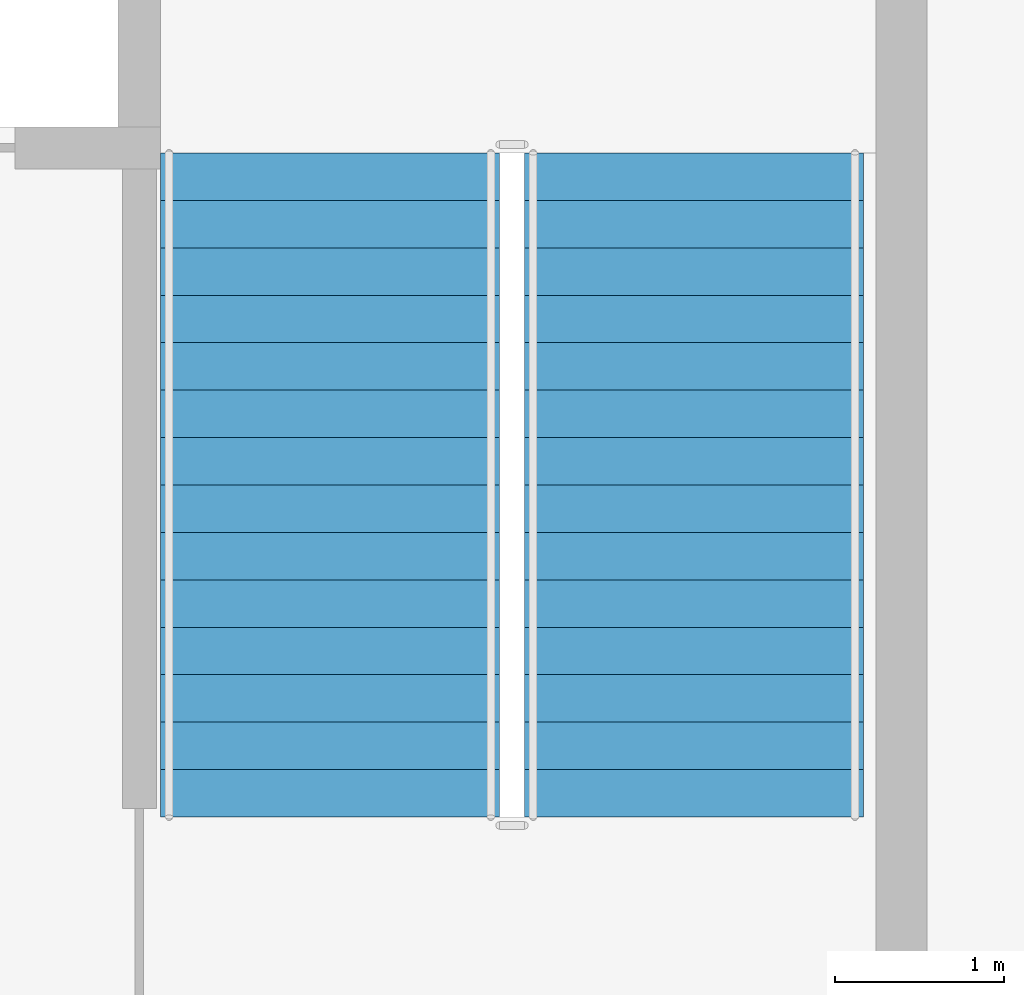
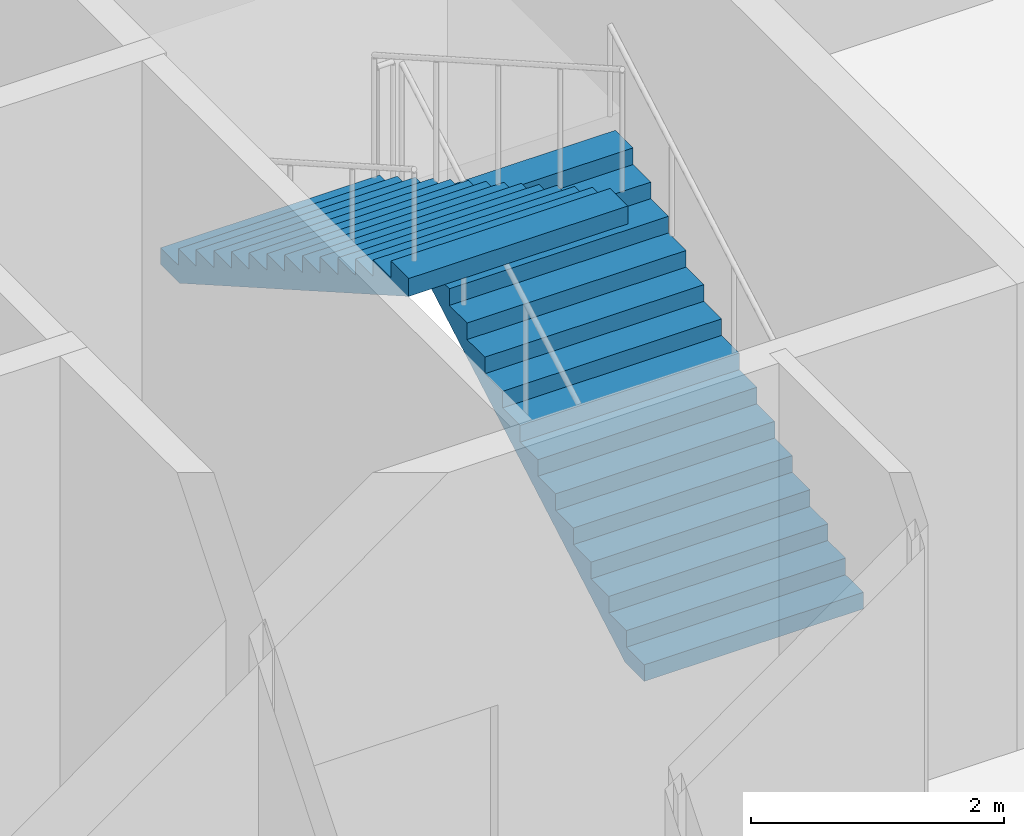
# One storey, part 6 of 10: 2 stair flights, 1 element without a shape of its own.
"""IFC4 building model written with IfcOpenShell, lengths in metres."""

from ifc_helpers import new_model, si_unit, direction, frame, origin, place, context, subcontext, project, spatial, polygons, material, type_object, element, aggregate, save


model = new_model("IFC4")

# Units and contexts
model_context = context("Model", 3, precision=1e-05, world=origin(), true_north=direction((0.0, 1.0)))
body_context = subcontext(model_context, "Body", "Model", "MODEL_VIEW")
ifc_project = project(units=[si_unit("LENGTHUNIT", "METRE"), si_unit("AREAUNIT", "SQUARE_METRE"), si_unit("VOLUMEUNIT", "CUBIC_METRE"), si_unit("PLANEANGLEUNIT", "RADIAN"), si_unit("MASSUNIT", "GRAM", prefix="KILO")], contexts=[model_context])

# Site, building, storey
site_placement = place(None, origin())
site = spatial("IfcSite", under=ifc_project, at=site_placement, CompositionType="ELEMENT")
building_placement = place(site_placement, origin())
building = spatial("IfcBuilding", under=site, at=building_placement, Name="Caravel Reach Hotel and Residences", CompositionType="ELEMENT")
storey_placement = place(building_placement, frame((0.0, 0.0, 48.0)))
storey = spatial("IfcBuildingStorey", under=building, at=storey_placement, Name="L10", CompositionType="ELEMENT", Elevation=48.0)

# Stair, stair flights
ifc_material_1 = material(Name="Concrete C40", Category="concrete")
stair_type = type_object("IfcStairType", Name="Core stair", PredefinedType="HALF_TURN_STAIR", material=ifc_material_1)
stair_placement = place(storey_placement, origin())
stair = element("IfcStair", 1, at=stair_placement, inside=storey, type_object=stair_type, Name="L10 Exit stair B", PredefinedType="HALF_TURN_STAIR")
ifc_material_2 = material(Name="Concrete C40", Category="concrete")
stair_flight_type = type_object("IfcStairFlightType", Name="Core stair flight", PredefinedType="STRAIGHT", material=ifc_material_2)
stair_flight_1_placement = place(storey_placement, frame((43.77490234375, 24.64990234375, 0.0), z_axis=(0.0, 0.0, 1.0), x_axis=(0.0, 1.0, 0.0)))
stair_flight_1 = element("IfcStairFlight", 2, at=stair_flight_1_placement, type_object=stair_flight_type, Name="ST-B flight 1", NumberOfRisers=15, NumberOfTreads=14, PredefinedType="STRAIGHT", RiserHeight=0.16, TreadLength=0.28, context=body_context, shape_type="Tessellation", body=[
    polygons([(0.30213783309663755, 1.0, 0.0), (0.30213783309663755, 0.6666666666666667, 0.0), (0.30213783309663755, 0.33333333333333337, 0.0), (0.30213783309663755, 0.0, 0.0), (0.30213783309663755, -0.33333333333333326, 0.0), (0.30213783309663755, -0.6666666666666667, 0.0), (0.30213783309663755, -1.0, 0.0), (3.9210000000000003, 1.0, 2.0673498096590643), (3.9210000000000003, 0.6666666666666667, 2.0673498096590643), (3.9210000000000003, 0.33333333333333337, 2.0673498096590643), (3.9210000000000003, 0.0, 2.0673498096590643), (3.9210000000000003, -0.33333333333333326, 2.0673498096590643), (3.9210000000000003, -0.6666666666666667, 2.0673498096590643), (3.9210000000000003, -1.0, 2.0673498096590643), (3.9210000000000003, 1.0, 2.24), (3.9210000000000003, 0.6666666666666667, 2.24), (3.9210000000000003, 0.33333333333333337, 2.24), (3.9210000000000003, 0.0, 2.24), (3.9210000000000003, -0.33333333333333326, 2.24), (3.9210000000000003, -0.6666666666666667, 2.24), (3.9210000000000003, -1.0, 2.24), (3.6400000000000006, 1.0, 2.24), (3.6400000000000006, 0.6666666666666667, 2.24), (3.6400000000000006, 0.33333333333333337, 2.24), (3.6400000000000006, 0.0, 2.24), (3.6400000000000006, -0.33333333333333326, 2.24), (3.6400000000000006, -0.6666666666666667, 2.24), (3.6400000000000006, -1.0, 2.24), (3.6400000000000006, 1.0, 2.08), (3.6400000000000006, 0.6666666666666667, 2.08), (3.6400000000000006, 0.33333333333333337, 2.08), (3.6400000000000006, 0.0, 2.08), (3.6400000000000006, -0.33333333333333326, 2.08), (3.6400000000000006, -0.6666666666666667, 2.08), (3.6400000000000006, -1.0, 2.08), (3.3600000000000003, 1.0, 2.08), (3.3600000000000003, 0.6666666666666667, 2.08), (3.3600000000000003, 0.33333333333333337, 2.08), (3.3600000000000003, 0.0, 2.08), (3.3600000000000003, -0.33333333333333326, 2.08), (3.3600000000000003, -0.6666666666666667, 2.08), (3.3600000000000003, -1.0, 2.08), (3.3600000000000003, 1.0, 1.92), (3.3600000000000003, 0.6666666666666667, 1.92), (3.3600000000000003, 0.33333333333333337, 1.92), (3.3600000000000003, 0.0, 1.92), (3.3600000000000003, -0.33333333333333326, 1.92), (3.3600000000000003, -0.6666666666666667, 1.92), (3.3600000000000003, -1.0, 1.92), (3.08, 1.0, 1.92), (3.08, 0.6666666666666667, 1.92), (3.08, 0.33333333333333337, 1.92), (3.08, 0.0, 1.92), (3.08, -0.33333333333333326, 1.92), (3.08, -0.6666666666666667, 1.92), (3.08, -1.0, 1.92), (3.08, 1.0, 1.76), (3.08, 0.6666666666666667, 1.76), (3.08, 0.33333333333333337, 1.76), (3.08, 0.0, 1.76), (3.08, -0.33333333333333326, 1.76), (3.08, -0.6666666666666667, 1.76), (3.08, -1.0, 1.76), (2.8000000000000003, 1.0, 1.76), (2.8000000000000003, 0.6666666666666667, 1.76), (2.8000000000000003, 0.33333333333333337, 1.76), (2.8000000000000003, 0.0, 1.76), (2.8000000000000003, -0.33333333333333326, 1.76), (2.8000000000000003, -0.6666666666666667, 1.76), (2.8000000000000003, -1.0, 1.76), (2.8000000000000003, 1.0, 1.6), (2.8000000000000003, 0.6666666666666667, 1.6), (2.8000000000000003, 0.33333333333333337, 1.6), (2.8000000000000003, 0.0, 1.6), (2.8000000000000003, -0.33333333333333326, 1.6), (2.8000000000000003, -0.6666666666666667, 1.6), (2.8000000000000003, -1.0, 1.6), (2.5200000000000005, 1.0, 1.6), (2.5200000000000005, 0.6666666666666667, 1.6), (2.5200000000000005, 0.33333333333333337, 1.6), (2.5200000000000005, 0.0, 1.6), (2.5200000000000005, -0.33333333333333326, 1.6), (2.5200000000000005, -0.6666666666666667, 1.6), (2.5200000000000005, -1.0, 1.6), (2.5200000000000005, 1.0, 1.44), (2.5200000000000005, 0.6666666666666667, 1.44), (2.5200000000000005, 0.33333333333333337, 1.44), (2.5200000000000005, 0.0, 1.44), (2.5200000000000005, -0.33333333333333326, 1.44), (2.5200000000000005, -0.6666666666666667, 1.44), (2.5200000000000005, -1.0, 1.44), (2.24, 1.0, 1.44), (2.24, 0.6666666666666667, 1.44), (2.24, 0.33333333333333337, 1.44), (2.24, 0.0, 1.44), (2.24, -0.33333333333333326, 1.44), (2.24, -0.6666666666666667, 1.44), (2.24, -1.0, 1.44), (2.24, 1.0, 1.28), (2.24, 0.6666666666666667, 1.28), (2.24, 0.33333333333333337, 1.28), (2.24, 0.0, 1.28), (2.24, -0.33333333333333326, 1.28), (2.24, -0.6666666666666667, 1.28), (2.24, -1.0, 1.28), (1.9600000000000002, 1.0, 1.28), (1.9600000000000002, 0.6666666666666667, 1.28), (1.9600000000000002, 0.33333333333333337, 1.28), (1.9600000000000002, 0.0, 1.28), (1.9600000000000002, -0.33333333333333326, 1.28), (1.9600000000000002, -0.6666666666666667, 1.28), (1.9600000000000002, -1.0, 1.28), (1.9600000000000002, 1.0, 1.12), (1.9600000000000002, 0.6666666666666667, 1.12), (1.9600000000000002, 0.33333333333333337, 1.12), (1.9600000000000002, 0.0, 1.12), (1.9600000000000002, -0.33333333333333326, 1.12), (1.9600000000000002, -0.6666666666666667, 1.12), (1.9600000000000002, -1.0, 1.12), (1.6800000000000002, 1.0, 1.12), (1.6800000000000002, 0.6666666666666667, 1.12), (1.6800000000000002, 0.33333333333333337, 1.12), (1.6800000000000002, 0.0, 1.12), (1.6800000000000002, -0.33333333333333326, 1.12), (1.6800000000000002, -0.6666666666666667, 1.12), (1.6800000000000002, -1.0, 1.12), (1.6800000000000002, 1.0, 0.96), (1.6800000000000002, 0.6666666666666667, 0.96), (1.6800000000000002, 0.33333333333333337, 0.96), (1.6800000000000002, 0.0, 0.96), (1.6800000000000002, -0.33333333333333326, 0.96), (1.6800000000000002, -0.6666666666666667, 0.96), (1.6800000000000002, -1.0, 0.96), (1.4000000000000001, 1.0, 0.96), (1.4000000000000001, 0.6666666666666667, 0.96), (1.4000000000000001, 0.33333333333333337, 0.96), (1.4000000000000001, 0.0, 0.96), (1.4000000000000001, -0.33333333333333326, 0.96), (1.4000000000000001, -0.6666666666666667, 0.96), (1.4000000000000001, -1.0, 0.96), (1.4000000000000001, 1.0, 0.8), (1.4000000000000001, 0.6666666666666667, 0.8), (1.4000000000000001, 0.33333333333333337, 0.8), (1.4000000000000001, 0.0, 0.8), (1.4000000000000001, -0.33333333333333326, 0.8), (1.4000000000000001, -0.6666666666666667, 0.8), (1.4000000000000001, -1.0, 0.8), (1.12, 1.0, 0.8), (1.12, 0.6666666666666667, 0.8), (1.12, 0.33333333333333337, 0.8), (1.12, 0.0, 0.8), (1.12, -0.33333333333333326, 0.8), (1.12, -0.6666666666666667, 0.8), (1.12, -1.0, 0.8), (1.12, 1.0, 0.64), (1.12, 0.6666666666666667, 0.64), (1.12, 0.33333333333333337, 0.64), (1.12, 0.0, 0.64), (1.12, -0.33333333333333326, 0.64), (1.12, -0.6666666666666667, 0.64), (1.12, -1.0, 0.64), (0.8400000000000001, 1.0, 0.64), (0.8400000000000001, 0.6666666666666667, 0.64), (0.8400000000000001, 0.33333333333333337, 0.64), (0.8400000000000001, 0.0, 0.64), (0.8400000000000001, -0.33333333333333326, 0.64), (0.8400000000000001, -0.6666666666666667, 0.64), (0.8400000000000001, -1.0, 0.64), (0.8400000000000001, 1.0, 0.48), (0.8400000000000001, 0.6666666666666667, 0.48), (0.8400000000000001, 0.33333333333333337, 0.48), (0.8400000000000001, 0.0, 0.48), (0.8400000000000001, -0.33333333333333326, 0.48), (0.8400000000000001, -0.6666666666666667, 0.48), (0.8400000000000001, -1.0, 0.48), (0.56, 1.0, 0.48), (0.56, 0.6666666666666667, 0.48), (0.56, 0.33333333333333337, 0.48), (0.56, 0.0, 0.48), (0.56, -0.33333333333333326, 0.48), (0.56, -0.6666666666666667, 0.48), (0.56, -1.0, 0.48), (0.56, 1.0, 0.32), (0.56, 0.6666666666666667, 0.32), (0.56, 0.33333333333333337, 0.32), (0.56, 0.0, 0.32), (0.56, -0.33333333333333326, 0.32), (0.56, -0.6666666666666667, 0.32), (0.56, -1.0, 0.32), (0.28, 1.0, 0.32), (0.28, 0.6666666666666667, 0.32), (0.28, 0.33333333333333337, 0.32), (0.28, 0.0, 0.32), (0.28, -0.33333333333333326, 0.32), (0.28, -0.6666666666666667, 0.32), (0.28, -1.0, 0.32), (0.28, 1.0, 0.16), (0.28, 0.6666666666666667, 0.16), (0.28, 0.33333333333333337, 0.16), (0.28, 0.0, 0.16), (0.28, -0.33333333333333326, 0.16), (0.28, -0.6666666666666667, 0.16), (0.28, -1.0, 0.16), (-0.001, 1.0, 0.16), (-0.001, 0.6666666666666667, 0.16), (-0.001, 0.33333333333333337, 0.16), (-0.001, 0.0, 0.16), (-0.001, -0.33333333333333326, 0.16), (-0.001, -0.6666666666666667, 0.16), (-0.001, -1.0, 0.16), (-0.001, 1.0, 0.0), (-0.001, 0.6666666666666667, 0.0), (-0.001, 0.33333333333333337, 0.0), (-0.001, 0.0, 0.0), (-0.001, -0.33333333333333326, 0.0), (-0.001, -0.6666666666666667, 0.0), (-0.001, -1.0, 0.0)], [[[211, 204, 197, 190, 183, 176, 169, 162, 155, 148, 141, 134, 127, 120, 113, 106, 99, 92, 85, 78, 71, 64, 57, 50, 43, 36, 29, 22, 15, 8, 1]], [[7, 14, 21, 28, 35, 42, 49, 56, 63, 70, 77, 84, 91, 98, 105, 112, 119, 126, 133, 140, 147, 154, 161, 168, 175, 182, 189, 196, 203, 210, 217]], [[1, 8, 9, 2]], [[2, 9, 10, 3]], [[3, 10, 11, 4]], [[4, 11, 12, 5]], [[5, 12, 13, 6]], [[6, 13, 14, 7]], [[8, 15, 16, 9]], [[9, 16, 17, 10]], [[10, 17, 18, 11]], [[11, 18, 19, 12]], [[12, 19, 20, 13]], [[13, 20, 21, 14]], [[15, 22, 23, 16]], [[16, 23, 24, 17]], [[17, 24, 25, 18]], [[18, 25, 26, 19]], [[19, 26, 27, 20]], [[20, 27, 28, 21]], [[22, 29, 30, 23]], [[23, 30, 31, 24]], [[24, 31, 32, 25]], [[25, 32, 33, 26]], [[26, 33, 34, 27]], [[27, 34, 35, 28]], [[29, 36, 37, 30]], [[30, 37, 38, 31]], [[31, 38, 39, 32]], [[32, 39, 40, 33]], [[33, 40, 41, 34]], [[34, 41, 42, 35]], [[36, 43, 44, 37]], [[37, 44, 45, 38]], [[38, 45, 46, 39]], [[39, 46, 47, 40]], [[40, 47, 48, 41]], [[41, 48, 49, 42]], [[43, 50, 51, 44]], [[44, 51, 52, 45]], [[45, 52, 53, 46]], [[46, 53, 54, 47]], [[47, 54, 55, 48]], [[48, 55, 56, 49]], [[50, 57, 58, 51]], [[51, 58, 59, 52]], [[52, 59, 60, 53]], [[53, 60, 61, 54]], [[54, 61, 62, 55]], [[55, 62, 63, 56]], [[57, 64, 65, 58]], [[58, 65, 66, 59]], [[59, 66, 67, 60]], [[60, 67, 68, 61]], [[61, 68, 69, 62]], [[62, 69, 70, 63]], [[64, 71, 72, 65]], [[65, 72, 73, 66]], [[66, 73, 74, 67]], [[67, 74, 75, 68]], [[68, 75, 76, 69]], [[69, 76, 77, 70]], [[71, 78, 79, 72]], [[72, 79, 80, 73]], [[73, 80, 81, 74]], [[74, 81, 82, 75]], [[75, 82, 83, 76]], [[76, 83, 84, 77]], [[78, 85, 86, 79]], [[79, 86, 87, 80]], [[80, 87, 88, 81]], [[81, 88, 89, 82]], [[82, 89, 90, 83]], [[83, 90, 91, 84]], [[85, 92, 93, 86]], [[86, 93, 94, 87]], [[87, 94, 95, 88]], [[88, 95, 96, 89]], [[89, 96, 97, 90]], [[90, 97, 98, 91]], [[92, 99, 100, 93]], [[93, 100, 101, 94]], [[94, 101, 102, 95]], [[95, 102, 103, 96]], [[96, 103, 104, 97]], [[97, 104, 105, 98]], [[99, 106, 107, 100]], [[100, 107, 108, 101]], [[101, 108, 109, 102]], [[102, 109, 110, 103]], [[103, 110, 111, 104]], [[104, 111, 112, 105]], [[106, 113, 114, 107]], [[107, 114, 115, 108]], [[108, 115, 116, 109]], [[109, 116, 117, 110]], [[110, 117, 118, 111]], [[111, 118, 119, 112]], [[113, 120, 121, 114]], [[114, 121, 122, 115]], [[115, 122, 123, 116]], [[116, 123, 124, 117]], [[117, 124, 125, 118]], [[118, 125, 126, 119]], [[120, 127, 128, 121]], [[121, 128, 129, 122]], [[122, 129, 130, 123]], [[123, 130, 131, 124]], [[124, 131, 132, 125]], [[125, 132, 133, 126]], [[127, 134, 135, 128]], [[128, 135, 136, 129]], [[129, 136, 137, 130]], [[130, 137, 138, 131]], [[131, 138, 139, 132]], [[132, 139, 140, 133]], [[134, 141, 142, 135]], [[135, 142, 143, 136]], [[136, 143, 144, 137]], [[137, 144, 145, 138]], [[138, 145, 146, 139]], [[139, 146, 147, 140]], [[141, 148, 149, 142]], [[142, 149, 150, 143]], [[143, 150, 151, 144]], [[144, 151, 152, 145]], [[145, 152, 153, 146]], [[146, 153, 154, 147]], [[148, 155, 156, 149]], [[149, 156, 157, 150]], [[150, 157, 158, 151]], [[151, 158, 159, 152]], [[152, 159, 160, 153]], [[153, 160, 161, 154]], [[155, 162, 163, 156]], [[156, 163, 164, 157]], [[157, 164, 165, 158]], [[158, 165, 166, 159]], [[159, 166, 167, 160]], [[160, 167, 168, 161]], [[162, 169, 170, 163]], [[163, 170, 171, 164]], [[164, 171, 172, 165]], [[165, 172, 173, 166]], [[166, 173, 174, 167]], [[167, 174, 175, 168]], [[169, 176, 177, 170]], [[170, 177, 178, 171]], [[171, 178, 179, 172]], [[172, 179, 180, 173]], [[173, 180, 181, 174]], [[174, 181, 182, 175]], [[176, 183, 184, 177]], [[177, 184, 185, 178]], [[178, 185, 186, 179]], [[179, 186, 187, 180]], [[180, 187, 188, 181]], [[181, 188, 189, 182]], [[183, 190, 191, 184]], [[184, 191, 192, 185]], [[185, 192, 193, 186]], [[186, 193, 194, 187]], [[187, 194, 195, 188]], [[188, 195, 196, 189]], [[190, 197, 198, 191]], [[191, 198, 199, 192]], [[192, 199, 200, 193]], [[193, 200, 201, 194]], [[194, 201, 202, 195]], [[195, 202, 203, 196]], [[197, 204, 205, 198]], [[198, 205, 206, 199]], [[199, 206, 207, 200]], [[200, 207, 208, 201]], [[201, 208, 209, 202]], [[202, 209, 210, 203]], [[204, 211, 212, 205]], [[205, 212, 213, 206]], [[206, 213, 214, 207]], [[207, 214, 215, 208]], [[208, 215, 216, 209]], [[209, 216, 217, 210]], [[211, 1, 2, 212]], [[212, 2, 3, 213]], [[213, 3, 4, 214]], [[214, 4, 5, 215]], [[215, 5, 6, 216]], [[216, 6, 7, 217]]], closed=True),
])
stair_flight_2_placement = place(storey_placement, frame((41.625, 28.570068359375, 2.39990234375), z_axis=(0.0, 0.0, 1.0), x_axis=(0.0, -1.0, 0.0)))
stair_flight_2 = element("IfcStairFlight", 3, at=stair_flight_2_placement, type_object=stair_flight_type, Name="ST-B flight 2", NumberOfRisers=15, NumberOfTreads=14, PredefinedType="STRAIGHT", RiserHeight=0.16, TreadLength=0.28, context=body_context, shape_type="Tessellation", body=[
    polygons([(0.30213783309663755, 1.0, 0.0), (0.30213783309663755, 0.6666666666666667, 0.0), (0.30213783309663755, 0.33333333333333337, 0.0), (0.30213783309663755, 0.0, 0.0), (0.30213783309663755, -0.33333333333333326, 0.0), (0.30213783309663755, -0.6666666666666667, 0.0), (0.30213783309663755, -1.0, 0.0), (3.9210000000000003, 1.0, 2.0673498096590643), (3.9210000000000003, 0.6666666666666667, 2.0673498096590643), (3.9210000000000003, 0.33333333333333337, 2.0673498096590643), (3.9210000000000003, 0.0, 2.0673498096590643), (3.9210000000000003, -0.33333333333333326, 2.0673498096590643), (3.9210000000000003, -0.6666666666666667, 2.0673498096590643), (3.9210000000000003, -1.0, 2.0673498096590643), (3.9210000000000003, 1.0, 2.24), (3.9210000000000003, 0.6666666666666667, 2.24), (3.9210000000000003, 0.33333333333333337, 2.24), (3.9210000000000003, 0.0, 2.24), (3.9210000000000003, -0.33333333333333326, 2.24), (3.9210000000000003, -0.6666666666666667, 2.24), (3.9210000000000003, -1.0, 2.24), (3.6400000000000006, 1.0, 2.24), (3.6400000000000006, 0.6666666666666667, 2.24), (3.6400000000000006, 0.33333333333333337, 2.24), (3.6400000000000006, 0.0, 2.24), (3.6400000000000006, -0.33333333333333326, 2.24), (3.6400000000000006, -0.6666666666666667, 2.24), (3.6400000000000006, -1.0, 2.24), (3.6400000000000006, 1.0, 2.08), (3.6400000000000006, 0.6666666666666667, 2.08), (3.6400000000000006, 0.33333333333333337, 2.08), (3.6400000000000006, 0.0, 2.08), (3.6400000000000006, -0.33333333333333326, 2.08), (3.6400000000000006, -0.6666666666666667, 2.08), (3.6400000000000006, -1.0, 2.08), (3.3600000000000003, 1.0, 2.08), (3.3600000000000003, 0.6666666666666667, 2.08), (3.3600000000000003, 0.33333333333333337, 2.08), (3.3600000000000003, 0.0, 2.08), (3.3600000000000003, -0.33333333333333326, 2.08), (3.3600000000000003, -0.6666666666666667, 2.08), (3.3600000000000003, -1.0, 2.08), (3.3600000000000003, 1.0, 1.92), (3.3600000000000003, 0.6666666666666667, 1.92), (3.3600000000000003, 0.33333333333333337, 1.92), (3.3600000000000003, 0.0, 1.92), (3.3600000000000003, -0.33333333333333326, 1.92), (3.3600000000000003, -0.6666666666666667, 1.92), (3.3600000000000003, -1.0, 1.92), (3.08, 1.0, 1.92), (3.08, 0.6666666666666667, 1.92), (3.08, 0.33333333333333337, 1.92), (3.08, 0.0, 1.92), (3.08, -0.33333333333333326, 1.92), (3.08, -0.6666666666666667, 1.92), (3.08, -1.0, 1.92), (3.08, 1.0, 1.76), (3.08, 0.6666666666666667, 1.76), (3.08, 0.33333333333333337, 1.76), (3.08, 0.0, 1.76), (3.08, -0.33333333333333326, 1.76), (3.08, -0.6666666666666667, 1.76), (3.08, -1.0, 1.76), (2.8000000000000003, 1.0, 1.76), (2.8000000000000003, 0.6666666666666667, 1.76), (2.8000000000000003, 0.33333333333333337, 1.76), (2.8000000000000003, 0.0, 1.76), (2.8000000000000003, -0.33333333333333326, 1.76), (2.8000000000000003, -0.6666666666666667, 1.76), (2.8000000000000003, -1.0, 1.76), (2.8000000000000003, 1.0, 1.6), (2.8000000000000003, 0.6666666666666667, 1.6), (2.8000000000000003, 0.33333333333333337, 1.6), (2.8000000000000003, 0.0, 1.6), (2.8000000000000003, -0.33333333333333326, 1.6), (2.8000000000000003, -0.6666666666666667, 1.6), (2.8000000000000003, -1.0, 1.6), (2.5200000000000005, 1.0, 1.6), (2.5200000000000005, 0.6666666666666667, 1.6), (2.5200000000000005, 0.33333333333333337, 1.6), (2.5200000000000005, 0.0, 1.6), (2.5200000000000005, -0.33333333333333326, 1.6), (2.5200000000000005, -0.6666666666666667, 1.6), (2.5200000000000005, -1.0, 1.6), (2.5200000000000005, 1.0, 1.44), (2.5200000000000005, 0.6666666666666667, 1.44), (2.5200000000000005, 0.33333333333333337, 1.44), (2.5200000000000005, 0.0, 1.44), (2.5200000000000005, -0.33333333333333326, 1.44), (2.5200000000000005, -0.6666666666666667, 1.44), (2.5200000000000005, -1.0, 1.44), (2.24, 1.0, 1.44), (2.24, 0.6666666666666667, 1.44), (2.24, 0.33333333333333337, 1.44), (2.24, 0.0, 1.44), (2.24, -0.33333333333333326, 1.44), (2.24, -0.6666666666666667, 1.44), (2.24, -1.0, 1.44), (2.24, 1.0, 1.28), (2.24, 0.6666666666666667, 1.28), (2.24, 0.33333333333333337, 1.28), (2.24, 0.0, 1.28), (2.24, -0.33333333333333326, 1.28), (2.24, -0.6666666666666667, 1.28), (2.24, -1.0, 1.28), (1.9600000000000002, 1.0, 1.28), (1.9600000000000002, 0.6666666666666667, 1.28), (1.9600000000000002, 0.33333333333333337, 1.28), (1.9600000000000002, 0.0, 1.28), (1.9600000000000002, -0.33333333333333326, 1.28), (1.9600000000000002, -0.6666666666666667, 1.28), (1.9600000000000002, -1.0, 1.28), (1.9600000000000002, 1.0, 1.12), (1.9600000000000002, 0.6666666666666667, 1.12), (1.9600000000000002, 0.33333333333333337, 1.12), (1.9600000000000002, 0.0, 1.12), (1.9600000000000002, -0.33333333333333326, 1.12), (1.9600000000000002, -0.6666666666666667, 1.12), (1.9600000000000002, -1.0, 1.12), (1.6800000000000002, 1.0, 1.12), (1.6800000000000002, 0.6666666666666667, 1.12), (1.6800000000000002, 0.33333333333333337, 1.12), (1.6800000000000002, 0.0, 1.12), (1.6800000000000002, -0.33333333333333326, 1.12), (1.6800000000000002, -0.6666666666666667, 1.12), (1.6800000000000002, -1.0, 1.12), (1.6800000000000002, 1.0, 0.96), (1.6800000000000002, 0.6666666666666667, 0.96), (1.6800000000000002, 0.33333333333333337, 0.96), (1.6800000000000002, 0.0, 0.96), (1.6800000000000002, -0.33333333333333326, 0.96), (1.6800000000000002, -0.6666666666666667, 0.96), (1.6800000000000002, -1.0, 0.96), (1.4000000000000001, 1.0, 0.96), (1.4000000000000001, 0.6666666666666667, 0.96), (1.4000000000000001, 0.33333333333333337, 0.96), (1.4000000000000001, 0.0, 0.96), (1.4000000000000001, -0.33333333333333326, 0.96), (1.4000000000000001, -0.6666666666666667, 0.96), (1.4000000000000001, -1.0, 0.96), (1.4000000000000001, 1.0, 0.8), (1.4000000000000001, 0.6666666666666667, 0.8), (1.4000000000000001, 0.33333333333333337, 0.8), (1.4000000000000001, 0.0, 0.8), (1.4000000000000001, -0.33333333333333326, 0.8), (1.4000000000000001, -0.6666666666666667, 0.8), (1.4000000000000001, -1.0, 0.8), (1.12, 1.0, 0.8), (1.12, 0.6666666666666667, 0.8), (1.12, 0.33333333333333337, 0.8), (1.12, 0.0, 0.8), (1.12, -0.33333333333333326, 0.8), (1.12, -0.6666666666666667, 0.8), (1.12, -1.0, 0.8), (1.12, 1.0, 0.64), (1.12, 0.6666666666666667, 0.64), (1.12, 0.33333333333333337, 0.64), (1.12, 0.0, 0.64), (1.12, -0.33333333333333326, 0.64), (1.12, -0.6666666666666667, 0.64), (1.12, -1.0, 0.64), (0.8400000000000001, 1.0, 0.64), (0.8400000000000001, 0.6666666666666667, 0.64), (0.8400000000000001, 0.33333333333333337, 0.64), (0.8400000000000001, 0.0, 0.64), (0.8400000000000001, -0.33333333333333326, 0.64), (0.8400000000000001, -0.6666666666666667, 0.64), (0.8400000000000001, -1.0, 0.64), (0.8400000000000001, 1.0, 0.48), (0.8400000000000001, 0.6666666666666667, 0.48), (0.8400000000000001, 0.33333333333333337, 0.48), (0.8400000000000001, 0.0, 0.48), (0.8400000000000001, -0.33333333333333326, 0.48), (0.8400000000000001, -0.6666666666666667, 0.48), (0.8400000000000001, -1.0, 0.48), (0.56, 1.0, 0.48), (0.56, 0.6666666666666667, 0.48), (0.56, 0.33333333333333337, 0.48), (0.56, 0.0, 0.48), (0.56, -0.33333333333333326, 0.48), (0.56, -0.6666666666666667, 0.48), (0.56, -1.0, 0.48), (0.56, 1.0, 0.32), (0.56, 0.6666666666666667, 0.32), (0.56, 0.33333333333333337, 0.32), (0.56, 0.0, 0.32), (0.56, -0.33333333333333326, 0.32), (0.56, -0.6666666666666667, 0.32), (0.56, -1.0, 0.32), (0.28, 1.0, 0.32), (0.28, 0.6666666666666667, 0.32), (0.28, 0.33333333333333337, 0.32), (0.28, 0.0, 0.32), (0.28, -0.33333333333333326, 0.32), (0.28, -0.6666666666666667, 0.32), (0.28, -1.0, 0.32), (0.28, 1.0, 0.16), (0.28, 0.6666666666666667, 0.16), (0.28, 0.33333333333333337, 0.16), (0.28, 0.0, 0.16), (0.28, -0.33333333333333326, 0.16), (0.28, -0.6666666666666667, 0.16), (0.28, -1.0, 0.16), (-0.001, 1.0, 0.16), (-0.001, 0.6666666666666667, 0.16), (-0.001, 0.33333333333333337, 0.16), (-0.001, 0.0, 0.16), (-0.001, -0.33333333333333326, 0.16), (-0.001, -0.6666666666666667, 0.16), (-0.001, -1.0, 0.16), (-0.001, 1.0, 0.0), (-0.001, 0.6666666666666667, 0.0), (-0.001, 0.33333333333333337, 0.0), (-0.001, 0.0, 0.0), (-0.001, -0.33333333333333326, 0.0), (-0.001, -0.6666666666666667, 0.0), (-0.001, -1.0, 0.0)], [[[211, 204, 197, 190, 183, 176, 169, 162, 155, 148, 141, 134, 127, 120, 113, 106, 99, 92, 85, 78, 71, 64, 57, 50, 43, 36, 29, 22, 15, 8, 1]], [[7, 14, 21, 28, 35, 42, 49, 56, 63, 70, 77, 84, 91, 98, 105, 112, 119, 126, 133, 140, 147, 154, 161, 168, 175, 182, 189, 196, 203, 210, 217]], [[1, 8, 9, 2]], [[2, 9, 10, 3]], [[3, 10, 11, 4]], [[4, 11, 12, 5]], [[5, 12, 13, 6]], [[6, 13, 14, 7]], [[8, 15, 16, 9]], [[9, 16, 17, 10]], [[10, 17, 18, 11]], [[11, 18, 19, 12]], [[12, 19, 20, 13]], [[13, 20, 21, 14]], [[15, 22, 23, 16]], [[16, 23, 24, 17]], [[17, 24, 25, 18]], [[18, 25, 26, 19]], [[19, 26, 27, 20]], [[20, 27, 28, 21]], [[22, 29, 30, 23]], [[23, 30, 31, 24]], [[24, 31, 32, 25]], [[25, 32, 33, 26]], [[26, 33, 34, 27]], [[27, 34, 35, 28]], [[29, 36, 37, 30]], [[30, 37, 38, 31]], [[31, 38, 39, 32]], [[32, 39, 40, 33]], [[33, 40, 41, 34]], [[34, 41, 42, 35]], [[36, 43, 44, 37]], [[37, 44, 45, 38]], [[38, 45, 46, 39]], [[39, 46, 47, 40]], [[40, 47, 48, 41]], [[41, 48, 49, 42]], [[43, 50, 51, 44]], [[44, 51, 52, 45]], [[45, 52, 53, 46]], [[46, 53, 54, 47]], [[47, 54, 55, 48]], [[48, 55, 56, 49]], [[50, 57, 58, 51]], [[51, 58, 59, 52]], [[52, 59, 60, 53]], [[53, 60, 61, 54]], [[54, 61, 62, 55]], [[55, 62, 63, 56]], [[57, 64, 65, 58]], [[58, 65, 66, 59]], [[59, 66, 67, 60]], [[60, 67, 68, 61]], [[61, 68, 69, 62]], [[62, 69, 70, 63]], [[64, 71, 72, 65]], [[65, 72, 73, 66]], [[66, 73, 74, 67]], [[67, 74, 75, 68]], [[68, 75, 76, 69]], [[69, 76, 77, 70]], [[71, 78, 79, 72]], [[72, 79, 80, 73]], [[73, 80, 81, 74]], [[74, 81, 82, 75]], [[75, 82, 83, 76]], [[76, 83, 84, 77]], [[78, 85, 86, 79]], [[79, 86, 87, 80]], [[80, 87, 88, 81]], [[81, 88, 89, 82]], [[82, 89, 90, 83]], [[83, 90, 91, 84]], [[85, 92, 93, 86]], [[86, 93, 94, 87]], [[87, 94, 95, 88]], [[88, 95, 96, 89]], [[89, 96, 97, 90]], [[90, 97, 98, 91]], [[92, 99, 100, 93]], [[93, 100, 101, 94]], [[94, 101, 102, 95]], [[95, 102, 103, 96]], [[96, 103, 104, 97]], [[97, 104, 105, 98]], [[99, 106, 107, 100]], [[100, 107, 108, 101]], [[101, 108, 109, 102]], [[102, 109, 110, 103]], [[103, 110, 111, 104]], [[104, 111, 112, 105]], [[106, 113, 114, 107]], [[107, 114, 115, 108]], [[108, 115, 116, 109]], [[109, 116, 117, 110]], [[110, 117, 118, 111]], [[111, 118, 119, 112]], [[113, 120, 121, 114]], [[114, 121, 122, 115]], [[115, 122, 123, 116]], [[116, 123, 124, 117]], [[117, 124, 125, 118]], [[118, 125, 126, 119]], [[120, 127, 128, 121]], [[121, 128, 129, 122]], [[122, 129, 130, 123]], [[123, 130, 131, 124]], [[124, 131, 132, 125]], [[125, 132, 133, 126]], [[127, 134, 135, 128]], [[128, 135, 136, 129]], [[129, 136, 137, 130]], [[130, 137, 138, 131]], [[131, 138, 139, 132]], [[132, 139, 140, 133]], [[134, 141, 142, 135]], [[135, 142, 143, 136]], [[136, 143, 144, 137]], [[137, 144, 145, 138]], [[138, 145, 146, 139]], [[139, 146, 147, 140]], [[141, 148, 149, 142]], [[142, 149, 150, 143]], [[143, 150, 151, 144]], [[144, 151, 152, 145]], [[145, 152, 153, 146]], [[146, 153, 154, 147]], [[148, 155, 156, 149]], [[149, 156, 157, 150]], [[150, 157, 158, 151]], [[151, 158, 159, 152]], [[152, 159, 160, 153]], [[153, 160, 161, 154]], [[155, 162, 163, 156]], [[156, 163, 164, 157]], [[157, 164, 165, 158]], [[158, 165, 166, 159]], [[159, 166, 167, 160]], [[160, 167, 168, 161]], [[162, 169, 170, 163]], [[163, 170, 171, 164]], [[164, 171, 172, 165]], [[165, 172, 173, 166]], [[166, 173, 174, 167]], [[167, 174, 175, 168]], [[169, 176, 177, 170]], [[170, 177, 178, 171]], [[171, 178, 179, 172]], [[172, 179, 180, 173]], [[173, 180, 181, 174]], [[174, 181, 182, 175]], [[176, 183, 184, 177]], [[177, 184, 185, 178]], [[178, 185, 186, 179]], [[179, 186, 187, 180]], [[180, 187, 188, 181]], [[181, 188, 189, 182]], [[183, 190, 191, 184]], [[184, 191, 192, 185]], [[185, 192, 193, 186]], [[186, 193, 194, 187]], [[187, 194, 195, 188]], [[188, 195, 196, 189]], [[190, 197, 198, 191]], [[191, 198, 199, 192]], [[192, 199, 200, 193]], [[193, 200, 201, 194]], [[194, 201, 202, 195]], [[195, 202, 203, 196]], [[197, 204, 205, 198]], [[198, 205, 206, 199]], [[199, 206, 207, 200]], [[200, 207, 208, 201]], [[201, 208, 209, 202]], [[202, 209, 210, 203]], [[204, 211, 212, 205]], [[205, 212, 213, 206]], [[206, 213, 214, 207]], [[207, 214, 215, 208]], [[208, 215, 216, 209]], [[209, 216, 217, 210]], [[211, 1, 2, 212]], [[212, 2, 3, 213]], [[213, 3, 4, 214]], [[214, 4, 5, 215]], [[215, 5, 6, 216]], [[216, 6, 7, 217]]], closed=True),
])
aggregate(stair, [stair_flight_1, stair_flight_2])

save(model, "model.ifc")
